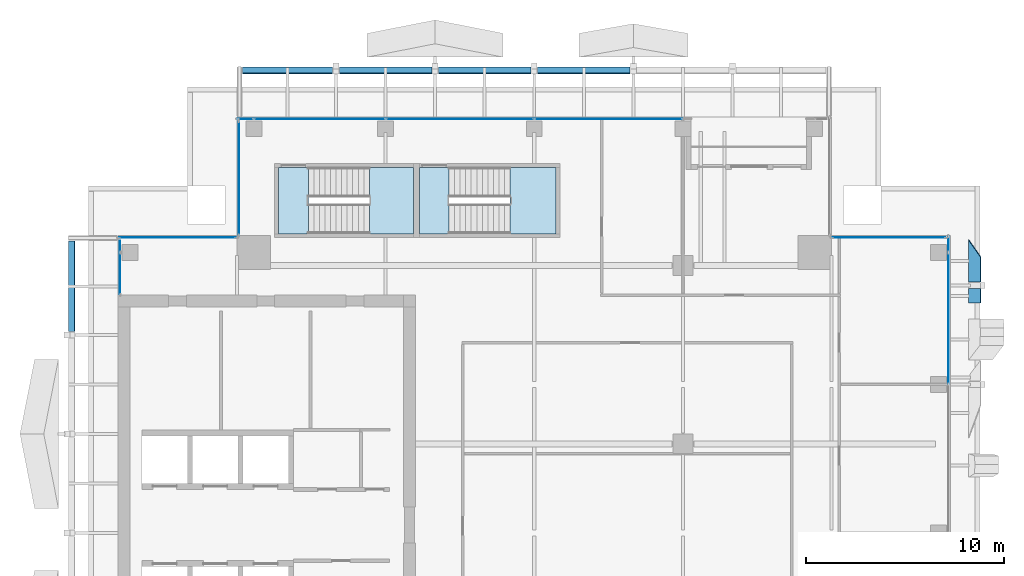
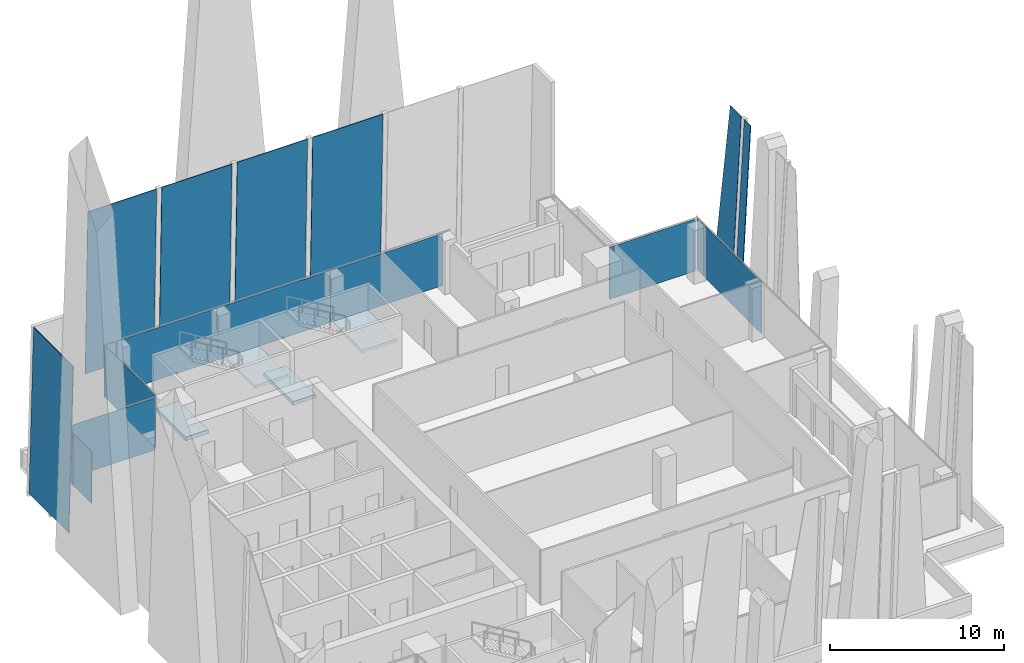
# One storey, part 23 of 32: 18 plates, 4 slabs, 8 elements without a shape of their own.
"""IFC4 building model written with IfcOpenShell, lengths in metres."""

from ifc_helpers import new_model, si_unit, direction, frame, origin, origin_2d, place, context, subcontext, project, spatial, polyline, rectangle, outline, extrude, source, transform, mapped, material, layer, layer_set, type_object, element, aggregate, save


model = new_model("IFC4")

# Units and contexts
model_context = context("Model", 3, precision=1e-05, world=origin(), true_north=direction((0.0, 1.0)))
body_context = subcontext(model_context, "Body", "Model", "MODEL_VIEW")
ifc_project = project(units=[si_unit("LENGTHUNIT", "METRE"), si_unit("AREAUNIT", "SQUARE_METRE"), si_unit("VOLUMEUNIT", "CUBIC_METRE"), si_unit("PLANEANGLEUNIT", "RADIAN"), si_unit("MASSUNIT", "GRAM", prefix="KILO")], contexts=[model_context])

# Site, building, storey
site_placement = place(None, origin())
site = spatial("IfcSite", under=ifc_project, at=site_placement, CompositionType="ELEMENT")
building_placement = place(site_placement, origin())
building = spatial("IfcBuilding", under=site, at=building_placement, Name="Khomas Fold Tower", CompositionType="ELEMENT")
storey_placement = place(building_placement, frame((0.0, 0.0, 282.199951171875)))
storey = spatial("IfcBuildingStorey", under=building, at=storey_placement, Name="L63", CompositionType="ELEMENT", Elevation=282.199951171875)

# Plates
ifc_material_1 = material(Name="Clear laminated glass", Category="glass")
ifc_layer_1 = layer(ifc_material_1, 0.0400390625)
ifc_layer_set_1 = layer_set([ifc_layer_1], Name="Clear laminated glass")
plate_type_1 = type_object("IfcPlateType", Name="SK-Clear laminated glass leaf", PredefinedType="SHEET", material=ifc_layer_set_1)
plate_1_placement = place(storey_placement, frame((49.50537109375, 38.60009765625, 11.550048828125), z_axis=(-0.99862882819, 0.0, 0.052349436554), x_axis=(0.0, 1.0, 0.0)))
element("IfcPlate", 1, at=plate_1_placement, inside=storey, type_object=plate_type_1, Name="OUTER SKIN glass L63 EG103-8", PredefinedType="SHEET", context=body_context, shape_type="SweptSolid", body=[
    extrude(outline(polyline([(0.0, 0.0), (0.72998046875, 0.0), (0.72998046875, 11.565907674683308), (0.0, 11.565907674683308), (0.0, 0.0)])), origin(), (0.0, 0.0, -1.0), 0.0400390625),
])
plate_2_placement = place(storey_placement, frame((49.50537109375, 40.93310546875, 11.550048828125), z_axis=(-0.99862882819, 0.0, 0.052349436554), x_axis=(-0.052203236477, 0.074684307669, -0.995839884866)))
element("IfcPlate", 2, at=plate_2_placement, inside=storey, type_object=plate_type_1, Name="OUTER SKIN glass L63 EG104-10", PredefinedType="SHEET", context=body_context, shape_type="SweptSolid", body=[
    extrude(outline(polyline([(0.0, 0.0), (11.598299087691387, 0.0), (11.439266731371236, 2.12344761634486), (-0.09433999215781572, 1.2596558090997827), (0.0, 0.0)])), origin(), (0.0, 0.0, -1.0), 0.0400390625),
])
plate_3_placement = place(storey_placement, frame((12.27001953125, 50.50830078125, 0.0009765625), z_axis=(0.0, 0.999657230839, 0.026180543005), x_axis=(1.0, 0.0, 0.0)))
element("IfcPlate", 3, at=plate_3_placement, inside=storey, type_object=plate_type_1, Name="OUTER SKIN glass L63 N1", PredefinedType="SHEET", context=body_context, shape_type="SweptSolid", body=[
    extrude(outline(polyline([(0.0, 0.0), (4.56005859375, 0.0), (4.56005859375, -11.554009186164079), (0.0, -11.554009186164079), (0.0, 0.0)])), origin(), (0.0, 0.0, -1.0), 0.0400390625),
])
for number, where, z_axis, x_axis, name in (
    (4, (17.169921875, 50.50830078125, 0.0009765625), (0.0, 0.999657230839, 0.026180543005), (1.0, 0.0, 0.0), "OUTER SKIN glass L63 N3"),
    (5, (22.169921875, 50.50830078125, 0.0009765625), (0.0, 0.999657230839, 0.026180543005), (1.0, 0.0, 0.0), "OUTER SKIN glass L63 N5"),
    (6, (27.169921875, 50.50830078125, 0.0009765625), (0.0, 0.999657230839, 0.026180543005), (1.0, 0.0, 0.0), "OUTER SKIN glass L63 N7"),
):
    element("IfcPlate", number, at=place(storey_placement, frame(where, z_axis=z_axis, x_axis=x_axis)), inside=storey, type_object=plate_type_1, Name=name, PredefinedType="SHEET", context=body_context, shape_type="SweptSolid", body=[
        extrude(outline(polyline([(0.0, 0.0), (4.66015625, 0.0), (4.66015625, -11.554009186164079), (0.0, -11.554009186164079), (0.0, 0.0)])), origin(), (0.0, 0.0, -1.0), 0.0400390625),
    ])
plate_4_placement = place(storey_placement, frame((3.49169921875, 37.169921875, 0.0009765625), z_axis=(-0.999657230839, 0.0, 0.026180543005), x_axis=(0.0, 1.0, 0.0)))
element("IfcPlate", 7, at=plate_4_placement, inside=storey, type_object=plate_type_1, Name="OUTER SKIN glass L63 W11", PredefinedType="SHEET", context=body_context, shape_type="SweptSolid", body=[
    extrude(outline(polyline([(0.0, 0.0), (4.56005859375, 0.0), (4.56005859375, -11.554009186164079), (0.0, -11.554009186164079), (0.0, 0.0)])), origin(), (0.0, 0.0, -1.0), 0.0400390625),
])

# Curtain wall, plate
ifc_material_2 = material(Name="Aluminium framed double glazing", Category="aluminium")
curtain_wall_type = type_object("IfcCurtainWallType", Name="SK-Unitised clear-glass wall, upper floors CW3", PredefinedType="NOTDEFINED", material=ifc_material_2)
curtain_wall_1_placement = place(storey_placement, origin())
curtain_wall_1 = element("IfcCurtainWall", 8, at=curtain_wall_1_placement, inside=storey, type_object=curtain_wall_type, Name="CW3 run L63 09-0", PredefinedType="NOTDEFINED")
ifc_material_3 = material(Name="Clear double glazed unit")
ifc_layer_2 = layer(ifc_material_3, 0.028076171875)
ifc_layer_set_2 = layer_set([ifc_layer_2], Name="Clear double glazed unit")
plate_type_2 = type_object("IfcPlateType", Name="SK-Unitised clear-glass wall, upper floors glass panel CW3-P", PredefinedType="CURTAIN_PANEL", material=ifc_layer_set_2)
shared_shape_1 = source(origin(), body_context, "Body", "SweptSolid", [
    extrude(rectangle(XDim=0.574951171875, YDim=0.028076171875, at=origin_2d()), origin(), (0.0, 0.0, 1.0), 3.64990234375),
])
plate_5_placement = place(storey_placement, frame((6.10009765625, 41.46240234375, 0.0), z_axis=(0.0, 0.0, 1.0), x_axis=(0.0, -1.0, 0.0)))
plate_5 = element("IfcPlate", 9, at=plate_5_placement, type_object=plate_type_2, Name="CW3 glass panel 1", PredefinedType="CURTAIN_PANEL", context=body_context, shape_type="MappedRepresentation", body=[
    mapped(shared_shape_1, transform((0.0, 0.0, 0.0))),
])

curtain_wall_2_placement = place(storey_placement, origin())
curtain_wall_2 = element("IfcCurtainWall", 10, at=curtain_wall_2_placement, inside=storey, type_object=curtain_wall_type, Name="CW3 run L63 03-1", PredefinedType="NOTDEFINED")
shared_shape_2 = source(origin(), body_context, "Body", "SweptSolid", [
    extrude(rectangle(XDim=6.60009765625, YDim=0.028076171875, at=origin_2d()), origin(), (0.0, 0.0, 1.0), 3.64990234375),
])
plate_6_placement = place(storey_placement, frame((47.89990234375, 37.824951171875, 0.0), z_axis=(0.0, 0.0, 1.0), x_axis=(0.0, 1.0, 0.0)))
plate_6 = element("IfcPlate", 11, at=plate_6_placement, type_object=plate_type_2, Name="CW3 glass panel 3", PredefinedType="CURTAIN_PANEL", context=body_context, shape_type="MappedRepresentation", body=[
    mapped(shared_shape_2, transform((0.0, 0.0, 0.0))),
])

# Curtain wall, plates
curtain_wall_3_placement = place(storey_placement, origin())
curtain_wall_3 = element("IfcCurtainWall", 12, at=curtain_wall_3_placement, inside=storey, type_object=curtain_wall_type, Name="CW3 run L63 06-1", PredefinedType="NOTDEFINED")
plate_7_placement = place(storey_placement, frame((16.175048828125, 47.89990234375, 0.0), z_axis=(0.0, 0.0, 1.0), x_axis=(-1.0, 0.0, 0.0)))
plate_7 = element("IfcPlate", 13, at=plate_7_placement, type_object=plate_type_2, Name="CW3 glass panel 4", PredefinedType="CURTAIN_PANEL", context=body_context, shape_type="MappedRepresentation", body=[
    mapped(shared_shape_2, transform((0.0, 0.0, 0.0))),
])
shared_shape_3 = source(origin(), body_context, "Body", "SweptSolid", [
    extrude(rectangle(XDim=7.449951171875, YDim=0.028076171875, at=origin_2d()), origin(), (0.0, 0.0, 1.0), 3.64990234375),
])
plate_8_placement = place(storey_placement, frame((30.75, 47.89990234375, 0.0), z_axis=(0.0, 0.0, 1.0), x_axis=(-1.0, 0.0, 0.0)))
plate_8 = element("IfcPlate", 14, at=plate_8_placement, type_object=plate_type_2, Name="CW3 glass panel 2", PredefinedType="CURTAIN_PANEL", context=body_context, shape_type="MappedRepresentation", body=[
    mapped(shared_shape_3, transform((0.0, 0.0, 0.0))),
])
plate_9_placement = place(storey_placement, frame((23.25, 47.89990234375, 0.0), z_axis=(0.0, 0.0, 1.0), x_axis=(-1.0, 0.0, 0.0)))
plate_9 = element("IfcPlate", 15, at=plate_9_placement, type_object=plate_type_2, Name="CW3 glass panel 3", PredefinedType="CURTAIN_PANEL", context=body_context, shape_type="MappedRepresentation", body=[
    mapped(shared_shape_3, transform((0.0, 0.0, 0.0))),
])

# Plate
shared_shape_4 = source(origin(), body_context, "Body", "SweptSolid", [
    extrude(rectangle(XDim=0.77490234375, YDim=0.028076171875, at=origin_2d()), origin(), (0.0, 0.0, 1.0), 3.64990234375),
])
plate_10_placement = place(storey_placement, frame((47.89990234375, 41.5625, 0.0), z_axis=(0.0, 0.0, 1.0), x_axis=(0.0, 1.0, 0.0)))
plate_10 = element("IfcPlate", 16, at=plate_10_placement, type_object=plate_type_2, Name="CW3 glass panel 4", PredefinedType="CURTAIN_PANEL", context=body_context, shape_type="MappedRepresentation", body=[
    mapped(shared_shape_4, transform((0.0, 0.0, 0.0))),
])

aggregate(curtain_wall_2, [plate_6, plate_10])

plate_11_placement = place(storey_placement, frame((12.4375, 47.89990234375, 0.0), z_axis=(0.0, 0.0, 1.0), x_axis=(-1.0, 0.0, 0.0)))
plate_11 = element("IfcPlate", 17, at=plate_11_placement, type_object=plate_type_2, Name="CW3 glass panel 5", PredefinedType="CURTAIN_PANEL", context=body_context, shape_type="MappedRepresentation", body=[
    mapped(shared_shape_4, transform((0.0, 0.0, 0.0))),
])

aggregate(curtain_wall_3, [plate_8, plate_9, plate_7, plate_11])

# Curtain wall, plate
curtain_wall_4_placement = place(storey_placement, origin())
curtain_wall_4 = element("IfcCurtainWall", 18, at=curtain_wall_4_placement, inside=storey, type_object=curtain_wall_type, Name="CW3 corner return L63 04", PredefinedType="NOTDEFINED")
shared_shape_5 = source(origin(), body_context, "Body", "SweptSolid", [
    extrude(rectangle(XDim=5.699951171875, YDim=0.028076171875, at=origin_2d()), origin(), (0.0, 0.0, 1.0), 3.64990234375),
])
plate_12_placement = place(storey_placement, frame((44.89990234375, 41.89990234375, 0.0), z_axis=(0.0, 0.0, 1.0), x_axis=(-1.0, 0.0, 0.0)))
plate_12 = element("IfcPlate", 19, at=plate_12_placement, type_object=plate_type_2, Name="CW3 glass panel 1", PredefinedType="CURTAIN_PANEL", context=body_context, shape_type="MappedRepresentation", body=[
    mapped(shared_shape_5, transform((0.0, 0.0, 0.0))),
])
aggregate(curtain_wall_4, [plate_12])

curtain_wall_5_placement = place(storey_placement, origin())
curtain_wall_5 = element("IfcCurtainWall", 20, at=curtain_wall_5_placement, inside=storey, type_object=curtain_wall_type, Name="CW3 corner return L63 07", PredefinedType="NOTDEFINED")
plate_13_placement = place(storey_placement, frame((12.10009765625, 44.89990234375, 0.0), z_axis=(0.0, 0.0, 1.0), x_axis=(0.0, -1.0, 0.0)))
plate_13 = element("IfcPlate", 21, at=plate_13_placement, type_object=plate_type_2, Name="CW3 glass panel 1", PredefinedType="CURTAIN_PANEL", context=body_context, shape_type="MappedRepresentation", body=[
    mapped(shared_shape_5, transform((0.0, 0.0, 0.0))),
])
aggregate(curtain_wall_5, [plate_13])

curtain_wall_6_placement = place(storey_placement, origin())
curtain_wall_6 = element("IfcCurtainWall", 22, at=curtain_wall_6_placement, inside=storey, type_object=curtain_wall_type, Name="CW3 corner return L63 08", PredefinedType="NOTDEFINED")
shared_shape_6 = source(origin(), body_context, "Body", "SweptSolid", [
    extrude(rectangle(XDim=5.89990234375, YDim=0.028076171875, at=origin_2d()), origin(), (0.0, 0.0, 1.0), 3.64990234375),
])
plate_14_placement = place(storey_placement, frame((9.0, 41.89990234375, 0.0), z_axis=(0.0, 0.0, 1.0), x_axis=(-1.0, 0.0, 0.0)))
plate_14 = element("IfcPlate", 23, at=plate_14_placement, type_object=plate_type_2, Name="CW3 glass panel 1", PredefinedType="CURTAIN_PANEL", context=body_context, shape_type="MappedRepresentation", body=[
    mapped(shared_shape_6, transform((0.0, 0.0, 0.0))),
])
aggregate(curtain_wall_6, [plate_14])

# Plate
shared_shape_7 = source(origin(), body_context, "Body", "SweptSolid", [
    extrude(rectangle(XDim=2.074951171875, YDim=0.028076171875, at=origin_2d()), origin(), (0.0, 0.0, 1.0), 3.64990234375),
])
plate_15_placement = place(storey_placement, frame((6.10009765625, 40.08740234375, 0.0), z_axis=(0.0, 0.0, 1.0), x_axis=(0.0, -1.0, 0.0)))
plate_15 = element("IfcPlate", 24, at=plate_15_placement, type_object=plate_type_2, Name="CW3 glass panel 2", PredefinedType="CURTAIN_PANEL", context=body_context, shape_type="MappedRepresentation", body=[
    mapped(shared_shape_7, transform((0.0, 0.0, 0.0))),
])

aggregate(curtain_wall_1, [plate_5, plate_15])

# Stair, slab
ifc_material_4 = material(Name="Concrete C40/50", Category="concrete")
stair_type_1 = type_object("IfcStairType", Name="Stair ST1", PredefinedType="HALF_TURN_STAIR", material=ifc_material_4)
stair_1_placement = place(storey_placement, origin())
stair_1 = element("IfcStair", 25, at=stair_1_placement, inside=storey, type_object=stair_type_1, Name="L63 ST1", PredefinedType="HALF_TURN_STAIR")
ifc_material_5 = material(Name="Concrete C40/50", Category="concrete")
ifc_layer_3 = layer(ifc_material_5, 0.199951171875)
ifc_layer_set_3 = layer_set([ifc_layer_3], Name="Concrete C40/50")
slab_type_1 = type_object("IfcSlabType", Name="Stair landing 200", PredefinedType="LANDING", material=ifc_layer_set_3)
shared_shape_8 = source(origin(), body_context, "Body", "SweptSolid", [
    extrude(outline(polyline([(18.679931640625, 42.10009765625), (20.89990234375, 42.10009765625), (20.89990234375, 45.449951171875), (18.679931640625, 45.449951171875), (18.679931640625, 42.10009765625)])), origin(), (0.0, 0.0, 1.0), 0.199951171875),
])
slab_1_placement = place(storey_placement, frame((0.0, 0.0, 1.800048828125)))
slab_1 = element("IfcSlab", 26, at=slab_1_placement, type_object=slab_type_1, Name="ST1 landing 1", PredefinedType="LANDING", context=body_context, shape_type="MappedRepresentation", body=[
    mapped(shared_shape_8, transform((0.0, 0.0, 0.0))),
])
aggregate(stair_1, [slab_1])

# Slab
ifc_material_6 = material(Name="Concrete C40/50", Category="concrete")
ifc_layer_4 = layer(ifc_material_6, 0.25)
ifc_layer_set_4 = layer_set([ifc_layer_4], Name="Concrete C40/50")
slab_type_2 = type_object("IfcSlabType", Name="Stair floor landing 250", PredefinedType="LANDING", material=ifc_layer_set_4)
shared_shape_9 = source(origin(), body_context, "Body", "SweptSolid", [
    extrude(outline(polyline([(14.10009765625, 42.10009765625), (14.10009765625, 45.449951171875), (15.60009765625, 45.449951171875), (15.60009765625, 42.10009765625), (14.10009765625, 42.10009765625)])), origin(), (0.0, 0.0, 1.0), 0.25),
])
slab_2_placement = place(storey_placement, frame((0.0, 0.0, -0.25)))
element("IfcSlab", 27, at=slab_2_placement, inside=storey, type_object=slab_type_2, Name="ST1 floor landing", PredefinedType="LANDING", context=body_context, shape_type="MappedRepresentation", body=[
    mapped(shared_shape_9, transform((0.0, 0.0, 0.0))),
])

# Stair, slab
ifc_material_7 = material(Name="Concrete C40/50", Category="concrete")
stair_type_2 = type_object("IfcStairType", Name="Stair ST3", PredefinedType="HALF_TURN_STAIR", material=ifc_material_7)
stair_2_placement = place(storey_placement, origin())
stair_2 = element("IfcStair", 28, at=stair_2_placement, inside=storey, type_object=stair_type_2, Name="L63 ST3", PredefinedType="HALF_TURN_STAIR")
shared_shape_10 = source(origin(), body_context, "Body", "SweptSolid", [
    extrude(outline(polyline([(25.780029296875, 42.10009765625), (28.10009765625, 42.10009765625), (28.10009765625, 45.449951171875), (25.780029296875, 45.449951171875), (25.780029296875, 42.10009765625)])), origin(), (0.0, 0.0, 1.0), 0.199951171875),
])
slab_3_placement = place(storey_placement, frame((0.0, 0.0, 1.800048828125)))
slab_3 = element("IfcSlab", 29, at=slab_3_placement, type_object=slab_type_1, Name="ST3 landing 1", PredefinedType="LANDING", context=body_context, shape_type="MappedRepresentation", body=[
    mapped(shared_shape_10, transform((0.0, 0.0, 0.0))),
])
aggregate(stair_2, [slab_3])

# Slab
shared_shape_11 = source(origin(), body_context, "Body", "SweptSolid", [
    extrude(outline(polyline([(21.199951171875, 42.10009765625), (21.199951171875, 45.449951171875), (22.699951171875, 45.449951171875), (22.699951171875, 42.10009765625), (21.199951171875, 42.10009765625)])), origin(), (0.0, 0.0, 1.0), 0.25),
])
slab_4_placement = place(storey_placement, frame((0.0, 0.0, -0.25)))
element("IfcSlab", 30, at=slab_4_placement, inside=storey, type_object=slab_type_2, Name="ST3 floor landing", PredefinedType="LANDING", context=body_context, shape_type="MappedRepresentation", body=[
    mapped(shared_shape_11, transform((0.0, 0.0, 0.0))),
])

save(model, "model.ifc")
